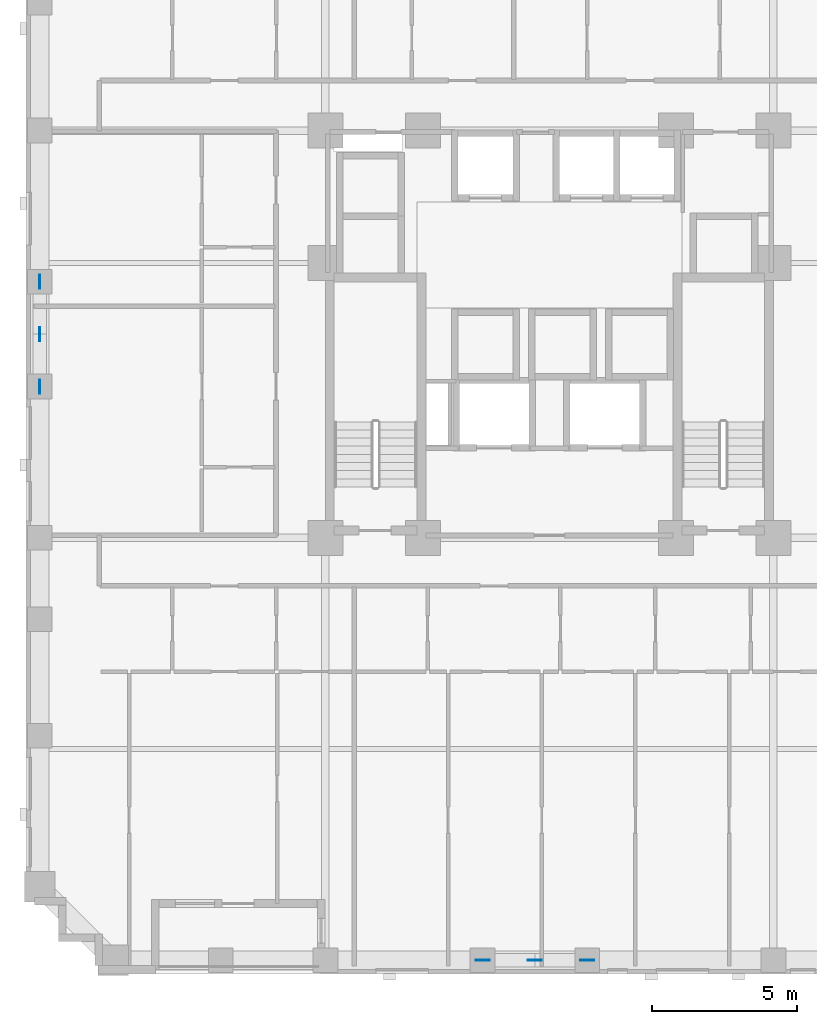
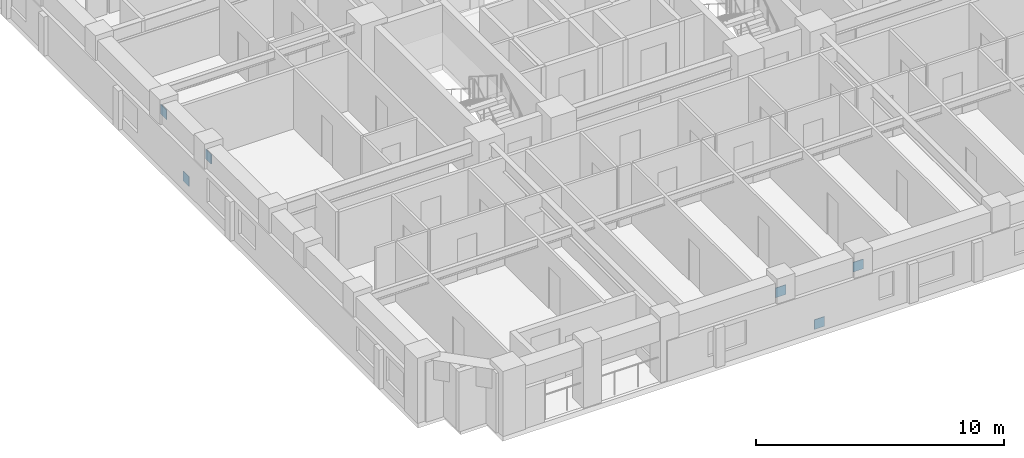
# One storey, part 10 of 14: 6 discrete accessories.
"""IFC4 building model written with IfcOpenShell, lengths in metres."""

from ifc_helpers import new_model, si_unit, derived_unit, direction, frame, origin, origin_2d, place, context, subcontext, project, spatial, rectangle, extrude, material, layer, layer_set, type_object, element, save


model = new_model("IFC4")

# Units and contexts
model_context = context("Model", 3, precision=1e-05, world=origin(), true_north=direction((0.0, 1.0)))
body_context = subcontext(model_context, "Body", "Model", "MODEL_VIEW")
ifc_project = project(units=[si_unit("LENGTHUNIT", "METRE"), si_unit("AREAUNIT", "SQUARE_METRE"), si_unit("VOLUMEUNIT", "CUBIC_METRE"), si_unit("PLANEANGLEUNIT", "RADIAN"), si_unit("MASSUNIT", "GRAM", prefix="KILO"), derived_unit("THERMALTRANSMITTANCEUNIT", [(si_unit("MASSUNIT", "GRAM", prefix="KILO"), 1), (si_unit("TIMEUNIT", "SECOND"), -3), (si_unit("THERMODYNAMICTEMPERATUREUNIT", "KELVIN"), -1)])], contexts=[model_context])

# Site, building, storey
site_placement = place(None, origin())
site = spatial("IfcSite", under=ifc_project, at=site_placement, CompositionType="ELEMENT")
building_placement = place(site_placement, origin())
building = spatial("IfcBuilding", under=site, at=building_placement, Name="Korrvale Station Residences", CompositionType="ELEMENT")
storey_placement = place(building_placement, frame((0.0, 0.0, 64.199951171875)))
storey = spatial("IfcBuildingStorey", under=building, at=storey_placement, Name="L17", CompositionType="ELEMENT", Elevation=64.199951171875)

# Discrete accessories
ifc_material = material(Name="Steel S355", Category="steel")
ifc_layer = layer(ifc_material, 0.02490234375, Name="Steel S355")
ifc_layer_set = layer_set([ifc_layer], Name="Steel S355")
discrete_accessory_type = type_object("IfcDiscreteAccessoryType", Name="ACC-GUSSET-25", PredefinedType="BRACKET", material=ifc_layer_set)
for number, where, z_axis, x_axis, name in (
    (1, (25.0, 0.47998046875, -0.219970703125), (0.0, 0.0, 1.0), (1.0, 0.0, 0.0), "L17 S Brace End Gusset Connection M"),
    (2, (23.199951171875, 0.47998046875, 1.969970703125), (0.0, 0.0, 1.0), (1.0, 0.0, 0.0), "L17 S Brace End Gusset Connection A"),
    (3, (26.800048828125, 0.47998046875, 1.969970703125), (0.0, 0.0, 1.0), (1.0, 0.0, 0.0), "L17 S Brace End Gusset Connection B"),
    (4, (7.97998046875, 22.0, -0.219970703125), (0.0, 0.0, 1.0), (0.0, 1.0, 0.0), "L17 W Brace End Gusset Connection M"),
    (5, (7.97998046875, 20.199951171875, 1.969970703125), (0.0, 0.0, 1.0), (0.0, 1.0, 0.0), "L17 W Brace End Gusset Connection A"),
    (6, (7.97998046875, 23.800048828125, 1.969970703125), (0.0, 0.0, 1.0), (0.0, 1.0, 0.0), "L17 W Brace End Gusset Connection B"),
):
    element("IfcDiscreteAccessory", number, at=place(storey_placement, frame(where, z_axis=z_axis, x_axis=x_axis)), inside=storey, type_object=discrete_accessory_type, Name=name, PredefinedType="BRACKET", context=body_context, shape_type="SweptSolid", body=[
        extrude(rectangle(XDim=0.47998046875, YDim=0.02490234375, at=origin_2d()), origin(), (0.0, 0.0, 1.0), 0.47998046875),
    ])

save(model, "model.ifc")
